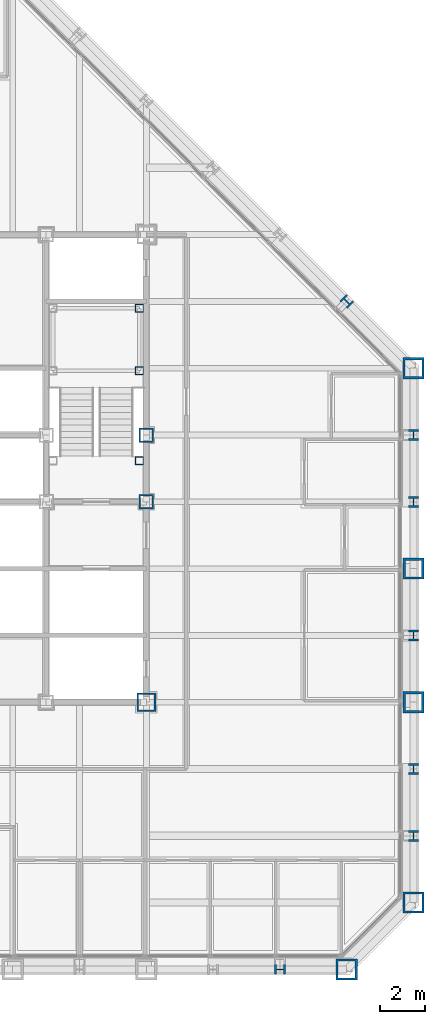
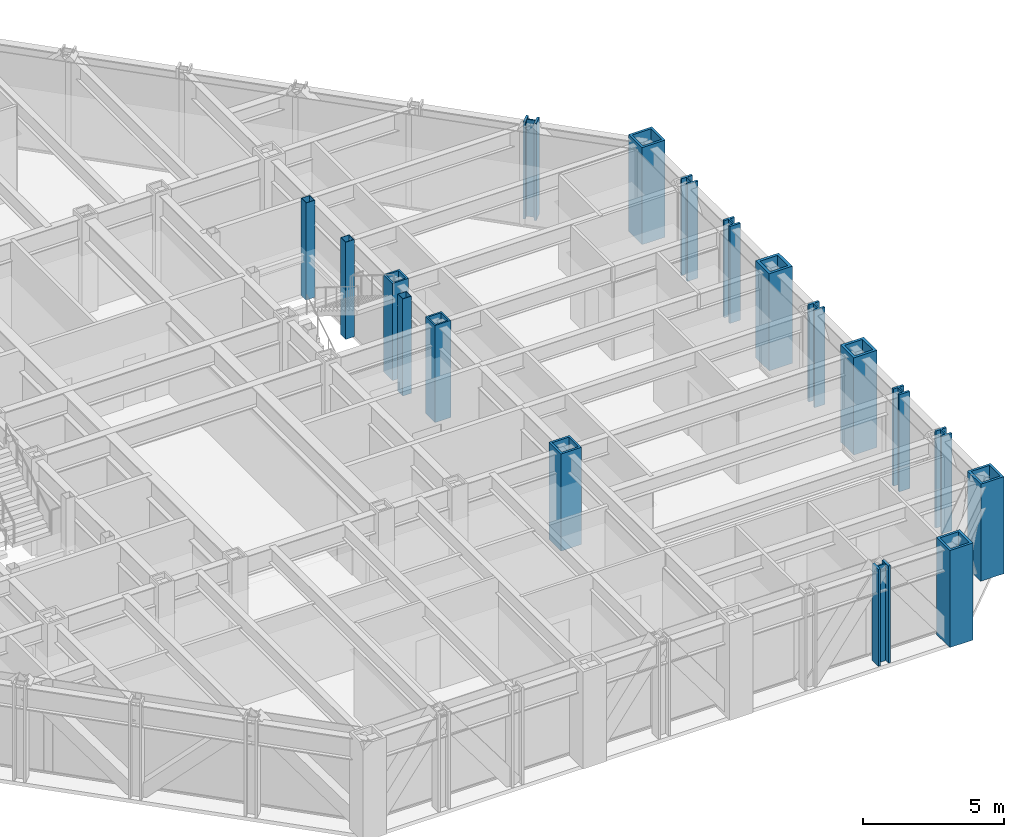
# One storey, part 2 of 16: 18 columns.
"""IFC4 building model written with IfcOpenShell, lengths in metres."""

import ifcopenshell
import ifcopenshell.guid

model = None  # the IFC model being written
_history = None  # IfcOwnerHistory: only IFC2X3 demands one
_inside = {}  # id of a spatial element -> (the spatial element, [elements in it])
_under = {}  # id of a project, library or spatial element -> (it, [spatial elements below it])
_declared = {}  # id of a project -> (the project, [libraries it declares])
_typed = {}  # id of a type object -> (the type object, [elements of that type])
_made_of = {}  # id of a material, layer set ... -> (it, [elements and type objects made of it])


def new_model(schema):
    """Start an empty IFC model of exactly this schema.

    Asked for "IFC4X3", IfcOpenShell would pick the latest addendum, in which some entities
    have other attributes; the version numbers below select the first issue.
    IFC2X3 requires an IfcOwnerHistory on every rooted entity: one is made here for all.
    """
    global model, _history
    if schema == "IFC4X3":
        model = ifcopenshell.file(schema_version=(4, 3, 0, 0))
    else:
        model = ifcopenshell.file(schema=schema)
    _inside.clear()
    _under.clear()
    _declared.clear()
    _typed.clear()
    _made_of.clear()
    _history = None
    if model.schema == "IFC2X3":
        org = make("IfcOrganization", Name="unknown")
        user = make(
            "IfcPersonAndOrganization",
            ThePerson=make("IfcPerson", FamilyName="unknown"),
            TheOrganization=org,
        )
        app = make(
            "IfcApplication",
            ApplicationDeveloper=org,
            Version="unknown",
            ApplicationFullName="unknown",
            ApplicationIdentifier="unknown",
        )
        _history = make(
            "IfcOwnerHistory",
            OwningUser=user,
            OwningApplication=app,
            ChangeAction="ADDED",
            CreationDate=0,
        )
    return model


def make(cls, **values):
    """One entity of the class cls with the attributes given. An attribute that is None is left unset."""
    return model.create_entity(
        cls, **{name: value for name, value in values.items() if value is not None}
    )


def rooted(cls, **values):
    """An entity with a GlobalId (a new one), such as an element, a storey or a relation."""
    return make(cls, GlobalId=ifcopenshell.guid.new(), OwnerHistory=_history, **values)


def si_unit(unit_type, name, prefix=None):
    """IfcSIUnit, for example si_unit("LENGTHUNIT", "METRE", prefix="MILLI")."""
    return make("IfcSIUnit", UnitType=unit_type, Prefix=prefix, Name=name)


def assignment(units):
    """IfcUnitAssignment: the units of a project."""
    return None if units is None else make("IfcUnitAssignment", Units=units)


def point(xyz):
    """IfcCartesianPoint."""
    return None if xyz is None else make("IfcCartesianPoint", Coordinates=xyz)


def direction(xyz):
    """IfcDirection."""
    return None if xyz is None else make("IfcDirection", DirectionRatios=xyz)


def frame(location, z_axis=None, x_axis=None):
    """IfcAxis2Placement3D, a coordinate frame: its origin and axes. An axis left out is left unset."""
    return make(
        "IfcAxis2Placement3D",
        Location=point(location),
        Axis=direction(z_axis),
        RefDirection=direction(x_axis),
    )


def frame_2d(location, x_axis=None):
    """IfcAxis2Placement2D, a coordinate frame in the plane: its origin and x axis."""
    return make(
        "IfcAxis2Placement2D", Location=point(location), RefDirection=direction(x_axis)
    )


def origin():
    """The frame at (0, 0, 0) with its axes left unset."""
    return frame((0.0, 0.0, 0.0))


def origin_2d():
    """The frame at (0, 0) in the plane with its x axis left unset."""
    return frame_2d((0.0, 0.0))


def place(relative_to, where):
    """IfcLocalPlacement: puts the frame where relative to a parent placement (None: the world)."""
    return make(
        "IfcLocalPlacement", PlacementRelTo=relative_to, RelativePlacement=where
    )


def context(
    kind, dimensions, precision=None, world=None, true_north=None, identifier=None
):
    """IfcGeometricRepresentationContext, for example the 3D "Model" context."""
    return make(
        "IfcGeometricRepresentationContext",
        ContextIdentifier=identifier,
        ContextType=kind,
        CoordinateSpaceDimension=dimensions,
        Precision=precision,
        WorldCoordinateSystem=world,
        TrueNorth=true_north,
    )


def subcontext(parent, identifier, kind, view, scale=None):
    """IfcGeometricRepresentationSubContext, for example "Body" below "Model"."""
    return make(
        "IfcGeometricRepresentationSubContext",
        ContextIdentifier=identifier,
        ContextType=kind,
        ParentContext=parent,
        TargetScale=scale,
        TargetView=view,
    )


def project(units=None, contexts=None):
    """IfcProject with its units and contexts."""
    return rooted(
        "IfcProject",
        Name="project",
        RepresentationContexts=contexts,
        UnitsInContext=assignment(units),
    )


def spatial(cls, under=None, at=None, **own):
    """A site, building, storey or space (cls), placed at a placement, below another one or the project."""
    s = rooted(cls, ObjectPlacement=at, **own)
    if under is not None:
        _under.setdefault(under.id(), (under, []))[1].append(s)
    return s


def profile(cls, at=None, kind="AREA", **sizes):
    """A parametric profile (cls). Its sizes go by their IFC names, for example OverallWidth=200.0."""
    return make(cls, ProfileType=kind, Position=at, **sizes)


def hollow_rectangle(**sizes):
    """IfcRectangleHollowProfileDef."""
    return profile("IfcRectangleHollowProfileDef", **sizes)


def i_section(**sizes):
    """IfcIShapeProfileDef."""
    return profile("IfcIShapeProfileDef", **sizes)


def extrude(swept, where, along, depth):
    """IfcExtrudedAreaSolid: the profile swept, set in the frame where, extruded along a direction by depth."""
    return make(
        "IfcExtrudedAreaSolid",
        SweptArea=swept,
        Position=where,
        ExtrudedDirection=direction(along),
        Depth=depth,
    )


def shape(context_of_items, identifier, shape_type, items):
    """IfcShapeRepresentation: the items that make up one representation, for example the "Body"."""
    return make(
        "IfcShapeRepresentation",
        ContextOfItems=context_of_items,
        RepresentationIdentifier=identifier,
        RepresentationType=shape_type,
        Items=items,
    )


def material(Name=None, Category=None):
    """IfcMaterial."""
    return make("IfcMaterial", Name=Name, Category=Category)


def material_profile(
    of_material, cross_section, Name=None, Category=None, Priority=None
):
    """IfcMaterialProfile: a cross section and its material."""
    return make(
        "IfcMaterialProfile",
        Name=Name,
        Material=of_material,
        Profile=cross_section,
        Priority=Priority,
        Category=Category,
    )


def profile_set(profiles, Name=None, composite=None):
    """IfcMaterialProfileSet."""
    return make(
        "IfcMaterialProfileSet",
        Name=Name,
        MaterialProfiles=profiles,
        CompositeProfile=composite,
    )


def made_of(thing, what):
    """Note that an element or type object is made of a material, layer set ...; save() writes the relation."""
    if what is not None:
        _made_of.setdefault(what.id(), (what, []))[1].append(thing)
    return thing


def type_object(cls, material=None, **own):
    """A type object (cls), such as IfcWallType, which elements share."""
    return made_of(rooted(cls, **own), material)


def element(
    cls,
    number,
    at=None,
    inside=None,
    cuts=None,
    type_object=None,
    material=None,
    context=None,
    identifier="Body",
    shape_type=None,
    held_by="IfcProductDefinitionShape",
    body=None,
    shapes=None,
    **own,
):
    """One element of the class cls, such as IfcWall. Its Tag is "e" and its number.

    at: its placement. inside: the storey or other place that contains it. cuts: it is an
    opening in that element (IfcRelVoidsElement). A single representation is given by context,
    identifier, shape_type and body (its items); several are given by shapes. held_by: the class
    of the entity that holds the representations. save() writes the other relations.
    """
    e = rooted(cls, Tag="e%d" % number, ObjectPlacement=at, **own)
    if body is not None:
        shapes = [shape(context, identifier, shape_type, body)]
    if shapes is not None:
        e.Representation = make(held_by, Representations=shapes)
    if inside is not None:
        _inside.setdefault(inside.id(), (inside, []))[1].append(e)
    if cuts is not None:
        rooted(
            "IfcRelVoidsElement", RelatingBuildingElement=cuts, RelatedOpeningElement=e
        )
    if type_object is not None:
        _typed.setdefault(type_object.id(), (type_object, []))[1].append(e)
    return made_of(e, material)


def aggregate(whole, parts):
    """IfcRelAggregates: a whole, such as a stair, and the parts it consists of."""
    return rooted("IfcRelAggregates", RelatingObject=whole, RelatedObjects=parts)


def save(model, path):
    """Write the relations noted so far, then the file.

    IfcRelAggregates (storeys below a building ...), IfcRelContainedInSpatialStructure (elements
    in a storey), IfcRelDefinesByType, IfcRelAssociatesMaterial and IfcRelDeclares: one each for
    every whole, place, type object, material and project.
    """
    for whole, parts in _under.values():
        aggregate(whole, parts)
    for where, things in _inside.values():
        rooted(
            "IfcRelContainedInSpatialStructure",
            RelatedElements=things,
            RelatingStructure=where,
        )
    for kind, things in _typed.values():
        rooted("IfcRelDefinesByType", RelatedObjects=things, RelatingType=kind)
    for what, things in _made_of.values():
        rooted("IfcRelAssociatesMaterial", RelatedObjects=things, RelatingMaterial=what)
    for by, libraries in _declared.values():
        rooted("IfcRelDeclares", RelatingContext=by, RelatedDefinitions=libraries)
    model.write(path)


model = new_model("IFC4")

# Units and contexts
model_context = context("Model", 3, precision=1e-05, world=origin(), true_north=direction((0.0, 1.0)))
body_context = subcontext(model_context, "Body", "Model", "MODEL_VIEW")
ifc_project = project(units=[si_unit("LENGTHUNIT", "METRE"), si_unit("AREAUNIT", "SQUARE_METRE"), si_unit("VOLUMEUNIT", "CUBIC_METRE"), si_unit("PLANEANGLEUNIT", "RADIAN"), si_unit("MASSUNIT", "GRAM", prefix="KILO")], contexts=[model_context])

# Site, building, storey
site_placement = place(None, origin())
site = spatial("IfcSite", under=ifc_project, at=site_placement, CompositionType="ELEMENT")
building_placement = place(site_placement, origin())
building = spatial("IfcBuilding", under=site, at=building_placement, Name="Chuquiago Exchange Tower", CompositionType="ELEMENT")
storey_placement = place(building_placement, frame((0.0, 0.0, 161.39990234375)))
storey = spatial("IfcBuildingStorey", under=building, at=storey_placement, Name="L35", CompositionType="ELEMENT", Elevation=161.39990234375)

# Columns
ifc_material_1 = material(Name="Steel ASTM A992", Category="steel")
ifc_material_profile_1 = material_profile(ifc_material_1, i_section(OverallWidth=0.431884765625, OverallDepth=0.497802734375, WebThickness=0.0556640625, FlangeThickness=0.0888671875, at=origin_2d()), Name="W14X500")
ifc_profile_set_1 = profile_set([ifc_material_profile_1], Name="Steel ASTM A992")
column_type_1 = type_object("IfcColumnType", Name="C7 W14X500", PredefinedType="COLUMN", material=ifc_profile_set_1)
for number, where, z_axis, x_axis, name in (
    (1, (39.0, 0.0, 0.0), (0.0, 0.0, 1.0), (0.0, -1.0, 0.0), "COL-L35-39_0"),
    (2, (45.0, 6.0, 0.0), (0.0, 0.0, 1.0), (1.0, 0.0, 0.0), "COL-L35-45_6"),
    (3, (45.0, 9.0, 0.0), (0.0, 0.0, 1.0), (1.0, 0.0, 0.0), "COL-L35-45_9"),
    (4, (45.0, 15.0, 0.0), (0.0, 0.0, 1.0), (1.0, 0.0, 0.0), "COL-L35-45_15"),
    (5, (45.0, 21.0, 0.0), (0.0, 0.0, 1.0), (1.0, 0.0, 0.0), "COL-L35-45_21"),
    (6, (45.0, 24.0, 0.0), (0.0, 0.0, 1.0), (1.0, 0.0, 0.0), "COL-L35-45_24"),
):
    element("IfcColumn", number, at=place(storey_placement, frame(where, z_axis=z_axis, x_axis=x_axis)), inside=storey, type_object=column_type_1, Name=name, PredefinedType="COLUMN", context=body_context, shape_type="SweptSolid", body=[
        extrude(i_section(OverallWidth=0.431884765625, OverallDepth=0.497802734375, WebThickness=0.0556640625, FlangeThickness=0.0888671875, at=origin_2d()), origin(), (0.0, 0.0, 1.0), 4.2001953125),
    ])
ifc_material_2 = material(Name="Steel ASTM A572 Grade 50", Category="steel")
ifc_material_profile_2 = material_profile(ifc_material_2, hollow_rectangle(XDim=0.85009765625, YDim=0.85009765625, WallThickness=0.0849609375, at=origin_2d()), Name="BOX850X850X85")
ifc_profile_set_2 = profile_set([ifc_material_profile_2], Name="Steel ASTM A572 Grade 50")
column_type_2 = type_object("IfcColumnType", Name="CC6 BOX850X850X85", PredefinedType="COLUMN", material=ifc_profile_set_2)
column_1_placement = place(storey_placement, frame((33.0, 12.0, 0.0), z_axis=(0.0, 0.0, 1.0), x_axis=(1.0, 0.0, 0.0)))
element("IfcColumn", 7, at=column_1_placement, inside=storey, type_object=column_type_2, Name="CCOL-L35-33_12", PredefinedType="COLUMN", context=body_context, shape_type="SweptSolid", body=[
    extrude(hollow_rectangle(XDim=0.85009765625, YDim=0.85009765625, WallThickness=0.0849609375, at=origin_2d()), origin(), (0.0, 0.0, 1.0), 4.2001953125),
])
ifc_material_3 = material(Name="Steel ASTM A572 Grade 50", Category="steel")
ifc_material_profile_3 = material_profile(ifc_material_3, hollow_rectangle(XDim=0.64990234375, YDim=0.64990234375, WallThickness=0.06494140625, at=origin_2d()), Name="BOX650X650X65")
ifc_profile_set_3 = profile_set([ifc_material_profile_3], Name="Steel ASTM A572 Grade 50")
column_type_3 = type_object("IfcColumnType", Name="CC7 BOX650X650X65", PredefinedType="COLUMN", material=ifc_profile_set_3)
for number, where, z_axis, x_axis, name in (
    (8, (33.0, 21.0, 0.0), (0.0, 0.0, 1.0), (1.0, 0.0, 0.0), "CCOL-L35-33_21"),
    (9, (33.0, 24.0, 0.0), (0.0, 0.0, 1.0), (1.0, 0.0, 0.0), "CCOL-L35-33_24"),
):
    element("IfcColumn", number, at=place(storey_placement, frame(where, z_axis=z_axis, x_axis=x_axis)), inside=storey, type_object=column_type_3, Name=name, PredefinedType="COLUMN", context=body_context, shape_type="SweptSolid", body=[
        extrude(hollow_rectangle(XDim=0.64990234375, YDim=0.64990234375, WallThickness=0.06494140625, at=origin_2d()), origin(), (0.0, 0.0, 1.0), 4.2001953125),
    ])
ifc_material_4 = material(Name="Steel ASTM A992", Category="steel")
ifc_material_profile_4 = material_profile(ifc_material_4, i_section(OverallWidth=0.4267578125, OverallDepth=0.482666015625, WebThickness=0.05126953125, FlangeThickness=0.08154296875, at=origin_2d()), Name="W14X455")
ifc_profile_set_4 = profile_set([ifc_material_profile_4], Name="Steel ASTM A992")
column_type_4 = type_object("IfcColumnType", Name="CK6 W14X455", PredefinedType="COLUMN", material=ifc_profile_set_4)
column_2_placement = place(storey_placement, frame((42.0, 30.0, 0.0), z_axis=(0.0, 0.0, 1.0), x_axis=(0.707106781187, 0.707106781187, 0.0)))
element("IfcColumn", 10, at=column_2_placement, inside=storey, type_object=column_type_4, Name="COL-L35-42_30", PredefinedType="COLUMN", context=body_context, shape_type="SweptSolid", body=[
    extrude(i_section(OverallWidth=0.4267578125, OverallDepth=0.482666015625, WebThickness=0.05126953125, FlangeThickness=0.08154296875, at=origin_2d()), origin(), (0.0, 0.0, 1.0), 4.2001953125),
])
ifc_material_5 = material(Name="Steel ASTM A572 Grade 50", Category="steel")
ifc_material_profile_5 = material_profile(ifc_material_5, hollow_rectangle(XDim=0.949951171875, YDim=0.949951171875, WallThickness=0.094970703125, at=origin_2d()), Name="BOX950X950X95")
ifc_profile_set_5 = profile_set([ifc_material_profile_5], Name="Steel ASTM A572 Grade 50")
column_type_5 = type_object("IfcColumnType", Name="CN1 BOX950X950X95", PredefinedType="COLUMN", material=ifc_profile_set_5)
for number, where, z_axis, x_axis, name in (
    (11, (42.0, 0.0, 0.0), (0.0, 0.0, 1.0), (0.0, -1.0, 0.0), "COL-L35-42_0"),
    (12, (45.0, 3.0, 0.0), (0.0, 0.0, 1.0), (1.0, 0.0, 0.0), "COL-L35-45_3"),
    (13, (45.0, 27.0, 0.0), (0.0, 0.0, 1.0), (1.0, 0.0, 0.0), "COL-L35-45_27"),
):
    element("IfcColumn", number, at=place(storey_placement, frame(where, z_axis=z_axis, x_axis=x_axis)), inside=storey, type_object=column_type_5, Name=name, PredefinedType="COLUMN", context=body_context, shape_type="SweptSolid", body=[
        extrude(hollow_rectangle(XDim=0.949951171875, YDim=0.949951171875, WallThickness=0.094970703125, at=origin_2d()), origin(), (0.0, 0.0, 1.0), 4.2001953125),
    ])
ifc_material_6 = material(Name="Steel ASTM A572 Grade 42", Category="steel")
ifc_material_profile_6 = material_profile(ifc_material_6, hollow_rectangle(XDim=0.949951171875, YDim=0.949951171875, WallThickness=0.110107421875, at=origin_2d()), Name="BOX950X950X110")
ifc_profile_set_6 = profile_set([ifc_material_profile_6], Name="Steel ASTM A572 Grade 42")
column_type_6 = type_object("IfcColumnType", Name="CT1 BOX950X950X110", PredefinedType="COLUMN", material=ifc_profile_set_6)
for number, where, z_axis, x_axis, name in (
    (14, (45.0, 12.0, 0.0), (0.0, 0.0, 1.0), (1.0, 0.0, 0.0), "COL-L35-45_12"),
    (15, (45.0, 18.0, 0.0), (0.0, 0.0, 1.0), (1.0, 0.0, 0.0), "COL-L35-45_18"),
):
    element("IfcColumn", number, at=place(storey_placement, frame(where, z_axis=z_axis, x_axis=x_axis)), inside=storey, type_object=column_type_6, Name=name, PredefinedType="COLUMN", context=body_context, shape_type="SweptSolid", body=[
        extrude(hollow_rectangle(XDim=0.949951171875, YDim=0.949951171875, WallThickness=0.110107421875, at=origin_2d()), origin(), (0.0, 0.0, 1.0), 4.2001953125),
    ])
ifc_material_7 = material(Name="Steel ASTM A500 Grade C", Category="steel")
ifc_material_profile_7 = material_profile(ifc_material_7, hollow_rectangle(XDim=0.355712890625, YDim=0.355712890625, WallThickness=0.0146484375, at=origin_2d()), Name="HSS14X14X5/8")
ifc_profile_set_7 = profile_set([ifc_material_profile_7], Name="Steel ASTM A500 Grade C")
column_type_7 = type_object("IfcColumnType", Name="PT2 HSS14X14X5/8", PredefinedType="COLUMN", material=ifc_profile_set_7)
for number, where, z_axis, x_axis, name in (
    (16, (32.68994140625, 29.68994140625, 0.0), (0.0, 0.0, 1.0), (1.0, 0.0, 0.0), "Stair ST2 L35 landing post"),
    (17, (32.68994140625, 26.889892578125, 0.0), (0.0, 0.0, 1.0), (1.0, 0.0, 0.0), "Stair ST2 L35 landing post"),
    (18, (32.68994140625, 22.85009765625, 0.0), (0.0, 0.0, 1.0), (1.0, 0.0, 0.0), "Stair ST2 L35 landing post"),
):
    element("IfcColumn", number, at=place(storey_placement, frame(where, z_axis=z_axis, x_axis=x_axis)), inside=storey, type_object=column_type_7, Name=name, PredefinedType="COLUMN", context=body_context, shape_type="SweptSolid", body=[
        extrude(hollow_rectangle(XDim=0.355712890625, YDim=0.355712890625, WallThickness=0.0146484375, at=origin_2d()), origin(), (0.0, 0.0, 1.0), 4.2001953125),
    ])

save(model, "model.ifc")
